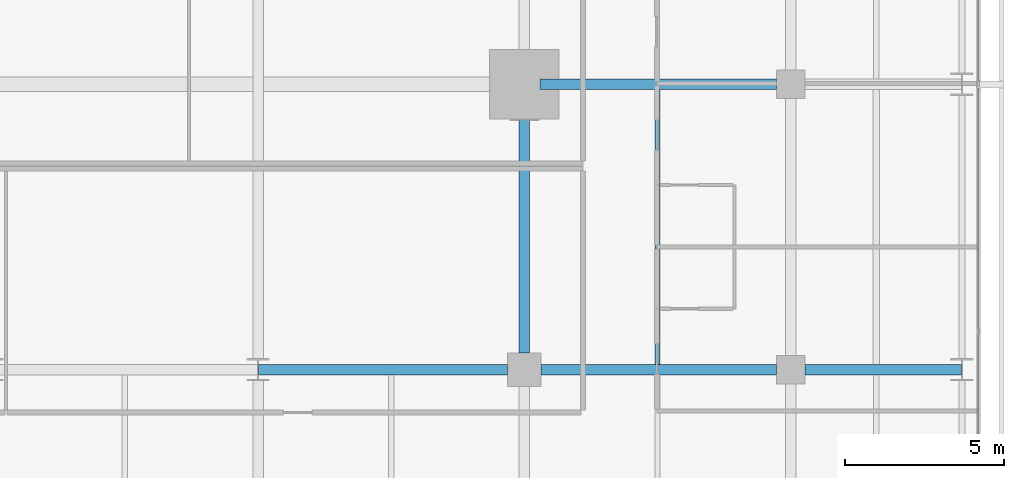
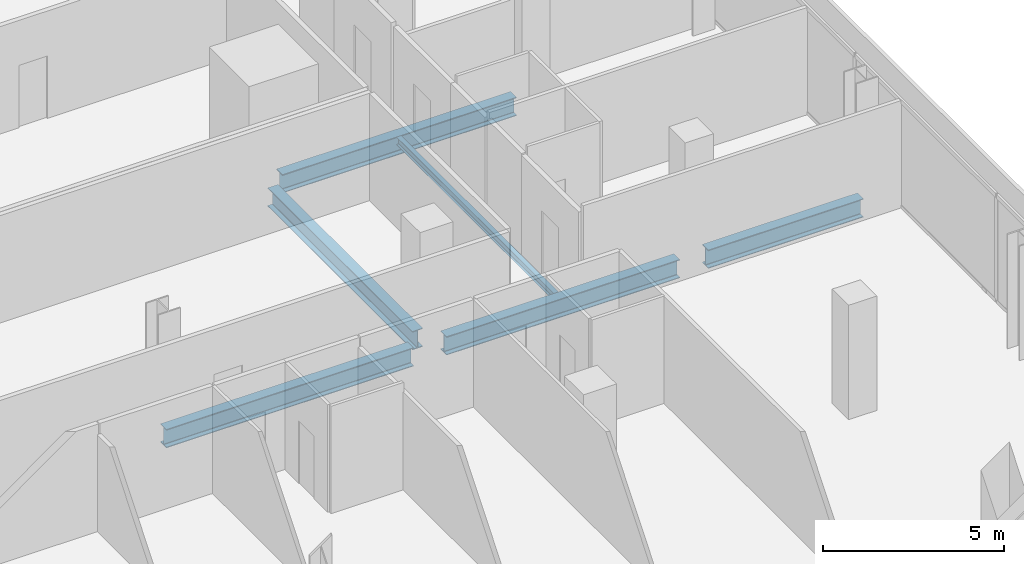
# One storey, part 18 of 40: 6 beams.
"""IFC4 building model written with IfcOpenShell, lengths in metres."""

import ifcopenshell
import ifcopenshell.guid

model = None  # the IFC model being written
_history = None  # IfcOwnerHistory: only IFC2X3 demands one
_inside = {}  # id of a spatial element -> (the spatial element, [elements in it])
_under = {}  # id of a project, library or spatial element -> (it, [spatial elements below it])
_declared = {}  # id of a project -> (the project, [libraries it declares])
_typed = {}  # id of a type object -> (the type object, [elements of that type])
_made_of = {}  # id of a material, layer set ... -> (it, [elements and type objects made of it])


def new_model(schema):
    """Start an empty IFC model of exactly this schema.

    Asked for "IFC4X3", IfcOpenShell would pick the latest addendum, in which some entities
    have other attributes; the version numbers below select the first issue.
    IFC2X3 requires an IfcOwnerHistory on every rooted entity: one is made here for all.
    """
    global model, _history
    if schema == "IFC4X3":
        model = ifcopenshell.file(schema_version=(4, 3, 0, 0))
    else:
        model = ifcopenshell.file(schema=schema)
    _inside.clear()
    _under.clear()
    _declared.clear()
    _typed.clear()
    _made_of.clear()
    _history = None
    if model.schema == "IFC2X3":
        org = make("IfcOrganization", Name="unknown")
        user = make(
            "IfcPersonAndOrganization",
            ThePerson=make("IfcPerson", FamilyName="unknown"),
            TheOrganization=org,
        )
        app = make(
            "IfcApplication",
            ApplicationDeveloper=org,
            Version="unknown",
            ApplicationFullName="unknown",
            ApplicationIdentifier="unknown",
        )
        _history = make(
            "IfcOwnerHistory",
            OwningUser=user,
            OwningApplication=app,
            ChangeAction="ADDED",
            CreationDate=0,
        )
    return model


def make(cls, **values):
    """One entity of the class cls with the attributes given. An attribute that is None is left unset."""
    return model.create_entity(
        cls, **{name: value for name, value in values.items() if value is not None}
    )


def rooted(cls, **values):
    """An entity with a GlobalId (a new one), such as an element, a storey or a relation."""
    return make(cls, GlobalId=ifcopenshell.guid.new(), OwnerHistory=_history, **values)


def si_unit(unit_type, name, prefix=None):
    """IfcSIUnit, for example si_unit("LENGTHUNIT", "METRE", prefix="MILLI")."""
    return make("IfcSIUnit", UnitType=unit_type, Prefix=prefix, Name=name)


def assignment(units):
    """IfcUnitAssignment: the units of a project."""
    return None if units is None else make("IfcUnitAssignment", Units=units)


def point(xyz):
    """IfcCartesianPoint."""
    return None if xyz is None else make("IfcCartesianPoint", Coordinates=xyz)


def direction(xyz):
    """IfcDirection."""
    return None if xyz is None else make("IfcDirection", DirectionRatios=xyz)


def frame(location, z_axis=None, x_axis=None):
    """IfcAxis2Placement3D, a coordinate frame: its origin and axes. An axis left out is left unset."""
    return make(
        "IfcAxis2Placement3D",
        Location=point(location),
        Axis=direction(z_axis),
        RefDirection=direction(x_axis),
    )


def frame_2d(location, x_axis=None):
    """IfcAxis2Placement2D, a coordinate frame in the plane: its origin and x axis."""
    return make(
        "IfcAxis2Placement2D", Location=point(location), RefDirection=direction(x_axis)
    )


def origin():
    """The frame at (0, 0, 0) with its axes left unset."""
    return frame((0.0, 0.0, 0.0))


def origin_2d():
    """The frame at (0, 0) in the plane with its x axis left unset."""
    return frame_2d((0.0, 0.0))


def place(relative_to, where):
    """IfcLocalPlacement: puts the frame where relative to a parent placement (None: the world)."""
    return make(
        "IfcLocalPlacement", PlacementRelTo=relative_to, RelativePlacement=where
    )


def context(
    kind, dimensions, precision=None, world=None, true_north=None, identifier=None
):
    """IfcGeometricRepresentationContext, for example the 3D "Model" context."""
    return make(
        "IfcGeometricRepresentationContext",
        ContextIdentifier=identifier,
        ContextType=kind,
        CoordinateSpaceDimension=dimensions,
        Precision=precision,
        WorldCoordinateSystem=world,
        TrueNorth=true_north,
    )


def subcontext(parent, identifier, kind, view, scale=None):
    """IfcGeometricRepresentationSubContext, for example "Body" below "Model"."""
    return make(
        "IfcGeometricRepresentationSubContext",
        ContextIdentifier=identifier,
        ContextType=kind,
        ParentContext=parent,
        TargetScale=scale,
        TargetView=view,
    )


def project(units=None, contexts=None):
    """IfcProject with its units and contexts."""
    return rooted(
        "IfcProject",
        Name="project",
        RepresentationContexts=contexts,
        UnitsInContext=assignment(units),
    )


def spatial(cls, under=None, at=None, **own):
    """A site, building, storey or space (cls), placed at a placement, below another one or the project."""
    s = rooted(cls, ObjectPlacement=at, **own)
    if under is not None:
        _under.setdefault(under.id(), (under, []))[1].append(s)
    return s


def profile(cls, at=None, kind="AREA", **sizes):
    """A parametric profile (cls). Its sizes go by their IFC names, for example OverallWidth=200.0."""
    return make(cls, ProfileType=kind, Position=at, **sizes)


def i_section(**sizes):
    """IfcIShapeProfileDef."""
    return profile("IfcIShapeProfileDef", **sizes)


def extrude(swept, where, along, depth):
    """IfcExtrudedAreaSolid: the profile swept, set in the frame where, extruded along a direction by depth."""
    return make(
        "IfcExtrudedAreaSolid",
        SweptArea=swept,
        Position=where,
        ExtrudedDirection=direction(along),
        Depth=depth,
    )


def shape(context_of_items, identifier, shape_type, items):
    """IfcShapeRepresentation: the items that make up one representation, for example the "Body"."""
    return make(
        "IfcShapeRepresentation",
        ContextOfItems=context_of_items,
        RepresentationIdentifier=identifier,
        RepresentationType=shape_type,
        Items=items,
    )


def material(Name=None, Category=None):
    """IfcMaterial."""
    return make("IfcMaterial", Name=Name, Category=Category)


def material_profile(
    of_material, cross_section, Name=None, Category=None, Priority=None
):
    """IfcMaterialProfile: a cross section and its material."""
    return make(
        "IfcMaterialProfile",
        Name=Name,
        Material=of_material,
        Profile=cross_section,
        Priority=Priority,
        Category=Category,
    )


def profile_set(profiles, Name=None, composite=None):
    """IfcMaterialProfileSet."""
    return make(
        "IfcMaterialProfileSet",
        Name=Name,
        MaterialProfiles=profiles,
        CompositeProfile=composite,
    )


def made_of(thing, what):
    """Note that an element or type object is made of a material, layer set ...; save() writes the relation."""
    if what is not None:
        _made_of.setdefault(what.id(), (what, []))[1].append(thing)
    return thing


def type_object(cls, material=None, **own):
    """A type object (cls), such as IfcWallType, which elements share."""
    return made_of(rooted(cls, **own), material)


def element(
    cls,
    number,
    at=None,
    inside=None,
    cuts=None,
    type_object=None,
    material=None,
    context=None,
    identifier="Body",
    shape_type=None,
    held_by="IfcProductDefinitionShape",
    body=None,
    shapes=None,
    **own,
):
    """One element of the class cls, such as IfcWall. Its Tag is "e" and its number.

    at: its placement. inside: the storey or other place that contains it. cuts: it is an
    opening in that element (IfcRelVoidsElement). A single representation is given by context,
    identifier, shape_type and body (its items); several are given by shapes. held_by: the class
    of the entity that holds the representations. save() writes the other relations.
    """
    e = rooted(cls, Tag="e%d" % number, ObjectPlacement=at, **own)
    if body is not None:
        shapes = [shape(context, identifier, shape_type, body)]
    if shapes is not None:
        e.Representation = make(held_by, Representations=shapes)
    if inside is not None:
        _inside.setdefault(inside.id(), (inside, []))[1].append(e)
    if cuts is not None:
        rooted(
            "IfcRelVoidsElement", RelatingBuildingElement=cuts, RelatedOpeningElement=e
        )
    if type_object is not None:
        _typed.setdefault(type_object.id(), (type_object, []))[1].append(e)
    return made_of(e, material)


def aggregate(whole, parts):
    """IfcRelAggregates: a whole, such as a stair, and the parts it consists of."""
    return rooted("IfcRelAggregates", RelatingObject=whole, RelatedObjects=parts)


def save(model, path):
    """Write the relations noted so far, then the file.

    IfcRelAggregates (storeys below a building ...), IfcRelContainedInSpatialStructure (elements
    in a storey), IfcRelDefinesByType, IfcRelAssociatesMaterial and IfcRelDeclares: one each for
    every whole, place, type object, material and project.
    """
    for whole, parts in _under.values():
        aggregate(whole, parts)
    for where, things in _inside.values():
        rooted(
            "IfcRelContainedInSpatialStructure",
            RelatedElements=things,
            RelatingStructure=where,
        )
    for kind, things in _typed.values():
        rooted("IfcRelDefinesByType", RelatedObjects=things, RelatingType=kind)
    for what, things in _made_of.values():
        rooted("IfcRelAssociatesMaterial", RelatedObjects=things, RelatingMaterial=what)
    for by, libraries in _declared.values():
        rooted("IfcRelDeclares", RelatingContext=by, RelatedDefinitions=libraries)
    model.write(path)


model = new_model("IFC4")

# Units and contexts
model_context = context("Model", 3, precision=1e-05, world=origin(), true_north=direction((0.0, 1.0)))
body_context = subcontext(model_context, "Body", "Model", "MODEL_VIEW")
ifc_project = project(units=[si_unit("LENGTHUNIT", "METRE"), si_unit("AREAUNIT", "SQUARE_METRE"), si_unit("VOLUMEUNIT", "CUBIC_METRE"), si_unit("PLANEANGLEUNIT", "RADIAN"), si_unit("MASSUNIT", "GRAM", prefix="KILO")], contexts=[model_context])

# Site, building, storey
site_placement = place(None, origin())
site = spatial("IfcSite", under=ifc_project, at=site_placement, CompositionType="ELEMENT")
building_placement = place(site_placement, origin())
building = spatial("IfcBuilding", under=site, at=building_placement, Name="Maruvema Waterfront Hotel and Observation Tower", CompositionType="ELEMENT")
storey_placement = place(building_placement, frame((0.0, 0.0, 42.35009765625)))
storey = spatial("IfcBuildingStorey", under=building, at=storey_placement, Name="L09", CompositionType="ELEMENT", Elevation=42.35009765625)

# Beams
ifc_material_1 = material(Name="Steel ASTM A572 Grade 50", Category="steel")
ifc_material_profile_1 = material_profile(ifc_material_1, i_section(OverallWidth=0.326904296875, OverallDepth=0.6220703125, WebThickness=0.015380859375, FlangeThickness=0.0244140625, FilletRadius=0.01806640625, at=origin_2d()), Name="W610x195.0")
ifc_profile_set_1 = profile_set([ifc_material_profile_1], Name="Steel ASTM A572 Grade 50")
beam_type_1 = type_object("IfcBeamType", Name="Primary Floor Girder W610x195.0", PredefinedType="BEAM", material=ifc_profile_set_1)
beam_1_placement = place(storey_placement, frame((42.013916015625, 18.0, -0.551025390625), z_axis=(1.0, 0.0, 0.0), x_axis=(0.0, 1.0, 0.0)))
element("IfcBeam", 1, at=beam_1_placement, inside=storey, type_object=beam_type_1, Name="L09 Floor Girder EW-17", PredefinedType="BEAM", context=body_context, shape_type="SweptSolid", body=[
    extrude(i_section(OverallWidth=0.326904296875, OverallDepth=0.6220703125, WebThickness=0.015380859375, FlangeThickness=0.0244140625, FilletRadius=0.01806640625, at=origin_2d()), origin(), (0.0, 0.0, 1.0), 7.861083984375),
])
beam_2_placement = place(storey_placement, frame((50.925048828125, 18.0, -0.551025390625), z_axis=(1.0, 0.0, 0.0), x_axis=(0.0, 1.0, 0.0)))
element("IfcBeam", 2, at=beam_2_placement, inside=storey, type_object=beam_type_1, Name="L09 Floor Girder EW-18", PredefinedType="BEAM", context=body_context, shape_type="SweptSolid", body=[
    extrude(i_section(OverallWidth=0.326904296875, OverallDepth=0.6220703125, WebThickness=0.015380859375, FlangeThickness=0.0244140625, FilletRadius=0.01806640625, at=origin_2d()), origin(), (0.0, 0.0, 1.0), 7.425048828125),
])
beam_3_placement = place(storey_placement, frame((59.25, 18.0, -0.551025390625), z_axis=(1.0, 0.0, 0.0), x_axis=(0.0, 1.0, 0.0)))
element("IfcBeam", 3, at=beam_3_placement, inside=storey, type_object=beam_type_1, Name="L09 Floor Girder EW-19", PredefinedType="BEAM", context=body_context, shape_type="SweptSolid", body=[
    extrude(i_section(OverallWidth=0.326904296875, OverallDepth=0.6220703125, WebThickness=0.015380859375, FlangeThickness=0.0244140625, FilletRadius=0.01806640625, at=origin_2d()), origin(), (0.0, 0.0, 1.0), 4.93603515625),
])
beam_4_placement = place(storey_placement, frame((50.89990234375, 27.0, -0.551025390625), z_axis=(1.0, 0.0, 0.0), x_axis=(0.0, 1.0, 0.0)))
element("IfcBeam", 4, at=beam_4_placement, inside=storey, type_object=beam_type_1, Name="L09 Floor Girder EW-23", PredefinedType="BEAM", context=body_context, shape_type="SweptSolid", body=[
    extrude(i_section(OverallWidth=0.326904296875, OverallDepth=0.6220703125, WebThickness=0.015380859375, FlangeThickness=0.0244140625, FilletRadius=0.01806640625, at=origin_2d()), origin(), (0.0, 0.0, 1.0), 7.4501953125),
])
beam_5_placement = place(storey_placement, frame((50.39990234375, 18.52490234375, -0.551025390625), z_axis=(0.0, 1.0, 0.0), x_axis=(-1.0, 0.0, 0.0)))
element("IfcBeam", 5, at=beam_5_placement, inside=storey, type_object=beam_type_1, Name="L09 Floor Girder NS-24", PredefinedType="BEAM", context=body_context, shape_type="SweptSolid", body=[
    extrude(i_section(OverallWidth=0.326904296875, OverallDepth=0.6220703125, WebThickness=0.015380859375, FlangeThickness=0.0244140625, FilletRadius=0.01806640625, at=origin_2d()), origin(), (0.0, 0.0, 1.0), 7.97509765625),
])
ifc_material_2 = material(Name="Steel ASTM A572 Grade 50", Category="steel")
ifc_material_profile_2 = material_profile(ifc_material_2, i_section(OverallWidth=0.14599609375, OverallDepth=0.258056640625, WebThickness=0.006103515625, FlangeThickness=0.009033203125, FilletRadius=0.012939453125, at=origin_2d()), Name="W250x32.7")
ifc_profile_set_2 = profile_set([ifc_material_profile_2], Name="Steel ASTM A572 Grade 50")
beam_type_2 = type_object("IfcBeamType", Name="Secondary Floor Joist W250x32.7", PredefinedType="JOIST", material=ifc_profile_set_2)
beam_6_placement = place(storey_placement, frame((54.60009765625, 18.16357421875, -0.369140625), z_axis=(0.0, 1.0, 0.0), x_axis=(-1.0, 0.0, 0.0)))
element("IfcBeam", 6, at=beam_6_placement, inside=storey, type_object=beam_type_2, Name="L09 Secondary Floor Joist JS-18", PredefinedType="JOIST", context=body_context, shape_type="SweptSolid", body=[
    extrude(i_section(OverallWidth=0.14599609375, OverallDepth=0.258056640625, WebThickness=0.006103515625, FlangeThickness=0.009033203125, FilletRadius=0.012939453125, at=origin_2d()), origin(), (0.0, 0.0, 1.0), 8.6728515625),
])

save(model, "model.ifc")
